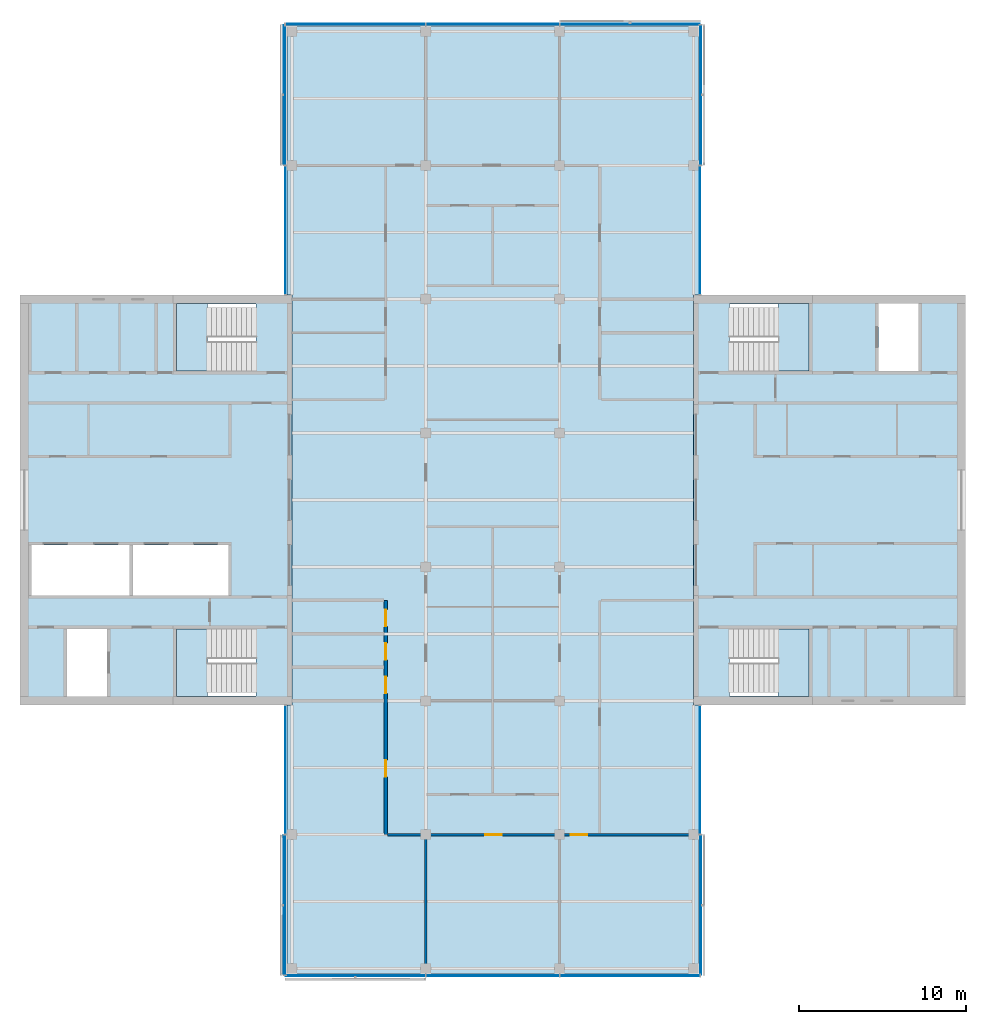
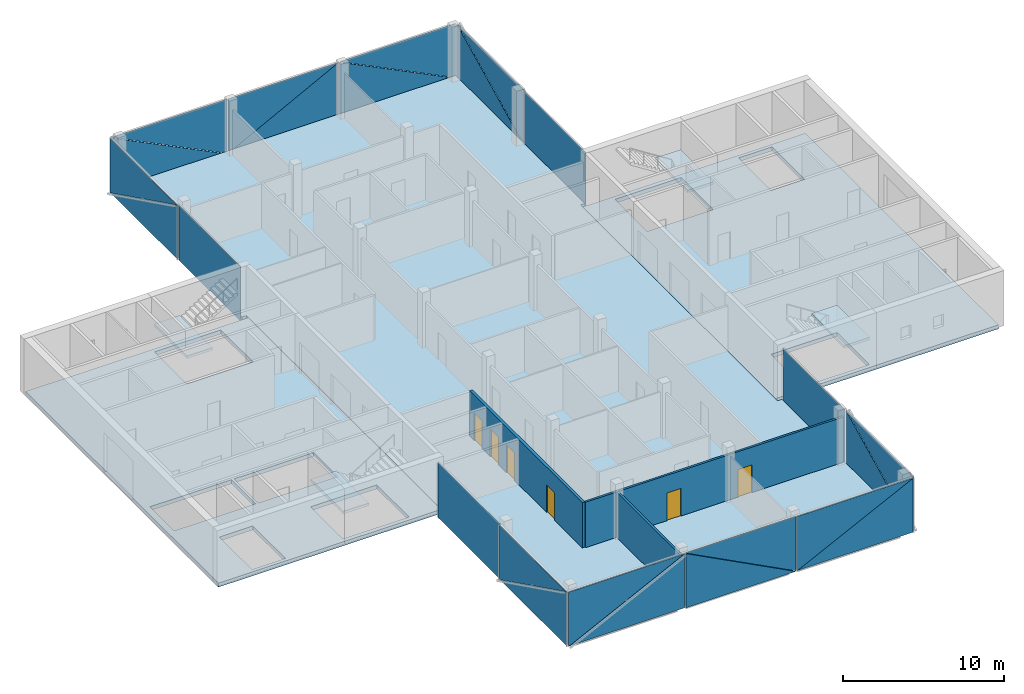
# One storey, part 8 of 16: 24 plates, 7 slabs, 6 doors, 3 walls, 6 openings, 14 elements without a shape of their own.
"""IFC4 building model written with IfcOpenShell, lengths in metres."""

from ifc_helpers import new_model, si_unit, direction, frame, frame_2d, origin, place, context, subcontext, project, spatial, polyline, rectangle, outline, extrude, material, layer, layer_set, type_object, element, fill, aggregate, save


model = new_model("IFC4")

# Units and contexts
model_context = context("Model", 3, precision=1e-05, world=origin(), true_north=direction((0.0, 1.0)))
body_context = subcontext(model_context, "Body", "Model", "MODEL_VIEW")
ifc_project = project(units=[si_unit("LENGTHUNIT", "METRE"), si_unit("AREAUNIT", "SQUARE_METRE"), si_unit("VOLUMEUNIT", "CUBIC_METRE"), si_unit("PLANEANGLEUNIT", "RADIAN"), si_unit("MASSUNIT", "GRAM", prefix="KILO")], contexts=[model_context])

# Site, building, storey
site_placement = place(None, origin())
site = spatial("IfcSite", under=ifc_project, at=site_placement, CompositionType="ELEMENT")
building_placement = place(site_placement, origin())
building = spatial("IfcBuilding", under=site, at=building_placement, Name="Crosswind Convention Tower", CompositionType="ELEMENT")
storey_placement = place(building_placement, frame((0.0, 0.0, 340.699951171875)))
storey = spatial("IfcBuildingStorey", under=building, at=storey_placement, Name="L74", CompositionType="ELEMENT", Elevation=340.699951171875)

# Slabs
ifc_material_1 = material(Name="Concrete C40/50", Category="concrete")
ifc_layer_1 = layer(ifc_material_1, 0.300048828125)
ifc_layer_set_1 = layer_set([ifc_layer_1], Name="Concrete C40/50")
slab_type_1 = type_object("IfcSlabType", Name="Composite floor slab 300", PredefinedType="FLOOR", material=ifc_layer_set_1)
slab_1_placement = place(storey_placement, frame((0.0, 0.0, -0.300048828125)))
element("IfcSlab", 1, at=slab_1_placement, inside=storey, type_object=slab_type_1, Name="Floor slab L74", PredefinedType="FLOOR", context=body_context, shape_type="SweptSolid", body=[
    extrude(outline(polyline([(137.300048828125, 71.699951171875), (137.0, 71.699951171875), (113.0, 71.699951171875), (112.699951171875, 71.699951171875), (112.699951171875, 72.0), (112.699951171875, 87.75), (113.0, 87.75), (113.0, 112.25), (112.699951171875, 112.25), (112.699951171875, 128.0), (112.699951171875, 128.300048828125), (113.0, 128.300048828125), (137.0, 128.300048828125), (137.300048828125, 128.300048828125), (137.300048828125, 128.0), (137.300048828125, 112.25), (137.0, 112.25), (137.0, 87.75), (137.300048828125, 87.75), (137.300048828125, 72.0), (137.300048828125, 71.699951171875)])), origin(), (0.0, 0.0, 1.0), 0.300048828125),
])
ifc_layer_2 = layer(ifc_material_1, 0.300048828125)
ifc_layer_set_2 = layer_set([ifc_layer_2], Name="Concrete C40/50")
slab_type_2 = type_object("IfcSlabType", Name="Concrete core floor slab 300", PredefinedType="FLOOR", material=ifc_layer_set_2)
slab_2_placement = place(storey_placement, frame((0.0, 0.0, -0.300048828125)))
element("IfcSlab", 2, at=slab_2_placement, inside=storey, type_object=slab_type_2, Name="Core floor slab E L74", PredefinedType="FLOOR", context=body_context, shape_type="SweptSolid", body=[
    extrude(outline(polyline([(137.0, 88.0), (153.0, 88.0), (153.0, 112.0), (137.0, 112.0), (137.0, 88.0)]), holes=[polyline([(150.449951171875, 107.699951171875), (150.449951171875, 111.75), (148.050048828125, 111.75), (148.050048828125, 107.699951171875), (150.449951171875, 107.699951171875)]), polyline([(143.89990234375, 107.699951171875), (143.89990234375, 111.699951171875), (139.14990234375, 111.699951171875), (139.14990234375, 107.699951171875), (143.89990234375, 107.699951171875)]), polyline([(143.89990234375, 88.300048828125), (143.89990234375, 92.300048828125), (139.14990234375, 92.300048828125), (139.14990234375, 88.300048828125), (143.89990234375, 88.300048828125)])]), origin(), (0.0, 0.0, 1.0), 0.300048828125),
])
slab_3_placement = place(storey_placement, frame((0.0, 0.0, -0.300048828125)))
element("IfcSlab", 3, at=slab_3_placement, inside=storey, type_object=slab_type_2, Name="Core floor slab W L74", PredefinedType="FLOOR", context=body_context, shape_type="SweptSolid", body=[
    extrude(outline(polyline([(97.0, 88.0), (113.0, 88.0), (113.0, 112.0), (97.0, 112.0), (97.0, 88.0)]), holes=[polyline([(109.199951171875, 94.300048828125), (109.199951171875, 97.300048828125), (103.5, 97.300048828125), (103.5, 94.300048828125), (109.199951171875, 94.300048828125)]), polyline([(103.300048828125, 94.300048828125), (103.300048828125, 97.300048828125), (97.449951171875, 97.300048828125), (97.449951171875, 94.300048828125), (103.300048828125, 94.300048828125)]), polyline([(101.949951171875, 88.25), (101.949951171875, 92.300048828125), (99.550048828125, 92.300048828125), (99.550048828125, 88.25), (101.949951171875, 88.25)]), polyline([(110.85009765625, 88.300048828125), (110.85009765625, 92.300048828125), (106.10009765625, 92.300048828125), (106.10009765625, 88.300048828125), (110.85009765625, 88.300048828125)]), polyline([(110.85009765625, 107.699951171875), (110.85009765625, 111.699951171875), (106.10009765625, 111.699951171875), (106.10009765625, 107.699951171875), (110.85009765625, 107.699951171875)])]), origin(), (0.0, 0.0, 1.0), 0.300048828125),
])

# Stair, slab
stair_type = type_object("IfcStairType", Name="Exit stair 1800 wide, 2 flights of 11 risers", PredefinedType="HALF_TURN_STAIR", material=ifc_material_1)
stair_1_placement = place(storey_placement, origin())
stair_1 = element("IfcStair", 4, at=stair_1_placement, inside=storey, type_object=stair_type, Name="Exit stair ST1 L74", ObjectType="ST5", PredefinedType="HALF_TURN_STAIR")
ifc_layer_3 = layer(ifc_material_1, 0.199951171875)
ifc_layer_set_3 = layer_set([ifc_layer_3], Name="Concrete C40/50")
slab_type_3 = type_object("IfcSlabType", Name="Stair landing 200", PredefinedType="LANDING", material=ifc_layer_set_3)
slab_4_placement = place(storey_placement, frame((0.0, 0.0, 1.900146484375)))
slab_4 = element("IfcSlab", 5, at=slab_4_placement, type_object=slab_type_3, Name="ST1 landing 1", PredefinedType="LANDING", context=body_context, shape_type="SweptSolid", body=[
    extrude(outline(polyline([(143.89990234375, 107.699951171875), (143.89990234375, 111.75), (142.050048828125, 111.75), (142.050048828125, 107.699951171875), (143.89990234375, 107.699951171875)])), origin(), (0.0, 0.0, 1.0), 0.199951171875),
])
aggregate(stair_1, [slab_4])

stair_2_placement = place(storey_placement, origin())
stair_2 = element("IfcStair", 6, at=stair_2_placement, inside=storey, type_object=stair_type, Name="Exit stair ST2 L74", ObjectType="ST5", PredefinedType="HALF_TURN_STAIR")
slab_5_placement = place(storey_placement, frame((0.0, 0.0, 1.900146484375)))
slab_5 = element("IfcSlab", 7, at=slab_5_placement, type_object=slab_type_3, Name="ST2 landing 1", PredefinedType="LANDING", context=body_context, shape_type="SweptSolid", body=[
    extrude(outline(polyline([(143.89990234375, 88.25), (143.89990234375, 92.300048828125), (142.050048828125, 92.300048828125), (142.050048828125, 88.25), (143.89990234375, 88.25)])), origin(), (0.0, 0.0, 1.0), 0.199951171875),
])
aggregate(stair_2, [slab_5])

stair_3_placement = place(storey_placement, origin())
stair_3 = element("IfcStair", 8, at=stair_3_placement, inside=storey, type_object=stair_type, Name="Exit stair ST3 L74", ObjectType="ST5", PredefinedType="HALF_TURN_STAIR")
slab_6_placement = place(storey_placement, frame((0.0, 0.0, 1.900146484375)))
slab_6 = element("IfcSlab", 9, at=slab_6_placement, type_object=slab_type_3, Name="ST3 landing 1", PredefinedType="LANDING", context=body_context, shape_type="SweptSolid", body=[
    extrude(outline(polyline([(107.949951171875, 88.25), (107.949951171875, 92.300048828125), (106.10009765625, 92.300048828125), (106.10009765625, 88.25), (107.949951171875, 88.25)])), origin(), (0.0, 0.0, 1.0), 0.199951171875),
])
aggregate(stair_3, [slab_6])

stair_4_placement = place(storey_placement, origin())
stair_4 = element("IfcStair", 10, at=stair_4_placement, inside=storey, type_object=stair_type, Name="Exit stair ST4 L74", ObjectType="ST5", PredefinedType="HALF_TURN_STAIR")
slab_7_placement = place(storey_placement, frame((0.0, 0.0, 1.900146484375)))
slab_7 = element("IfcSlab", 11, at=slab_7_placement, type_object=slab_type_3, Name="ST4 landing 1", PredefinedType="LANDING", context=body_context, shape_type="SweptSolid", body=[
    extrude(outline(polyline([(107.949951171875, 107.699951171875), (107.949951171875, 111.75), (106.10009765625, 111.75), (106.10009765625, 107.699951171875), (107.949951171875, 107.699951171875)])), origin(), (0.0, 0.0, 1.0), 0.199951171875),
])
aggregate(stair_4, [slab_7])

# Curtain wall, plate
ifc_material_2 = material(Name="Aluminium unitised curtain wall", Category="aluminium")
curtain_wall_type_1 = type_object("IfcCurtainWallType", Name="CORE END SLOT WALL 160", PredefinedType="USERDEFINED", material=ifc_material_2)
curtain_wall_1_placement = place(storey_placement, origin())
curtain_wall_1 = element("IfcCurtainWall", 12, at=curtain_wall_1_placement, inside=storey, type_object=curtain_wall_type_1, Name="CW6 L74 N-E.1-1 slot", ObjectType="UNITISED", PredefinedType="USERDEFINED")
ifc_material_3 = material(Name="Laminated insulating glass unit", Category="glass")
ifc_layer_4 = layer(ifc_material_3, 0.02587890625)
ifc_layer_set_4 = layer_set([ifc_layer_4], Name="TRIANGULAR GLASS PANEL 26")
plate_type_1 = type_object("IfcPlateType", Name="TRIANGULAR GLASS PANEL 26", PredefinedType="CURTAIN_PANEL", material=ifc_layer_set_4)
plate_1_placement = place(storey_placement, frame((137.40673828125, 112.300048828125, -0.300048828125), z_axis=(0.999999937709, 0.0, 0.000352961917), x_axis=(0.0, 1.0, 0.0)))
plate_1 = element("IfcPlate", 13, at=plate_1_placement, type_object=plate_type_1, Name="CW6 panel 1.1", PredefinedType="CURTAIN_PANEL", context=body_context, shape_type="SweptSolid", body=[
    extrude(outline(polyline([(0.0, 0.0), (7.64990234375, 0.0), (7.64990234375, 4.150146742892037), (0.0, 4.150146742892037), (0.0, 0.0)])), origin(), (0.0, 0.0, -1.0), 0.02587890625),
])
aggregate(curtain_wall_1, [plate_1])

curtain_wall_2_placement = place(storey_placement, origin())
curtain_wall_2 = element("IfcCurtainWall", 14, at=curtain_wall_2_placement, inside=storey, type_object=curtain_wall_type_1, Name="CW6 L74 N-W.1-2 slot", ObjectType="UNITISED", PredefinedType="USERDEFINED")
plate_2_placement = place(storey_placement, frame((112.59326171875, 119.949951171875, -0.300048828125), z_axis=(-0.999999937709, 0.0, 0.000352961917), x_axis=(0.0, -1.0, 0.0)))
plate_2 = element("IfcPlate", 15, at=plate_2_placement, type_object=plate_type_1, Name="CW6 panel 1.1", PredefinedType="CURTAIN_PANEL", context=body_context, shape_type="SweptSolid", body=[
    extrude(outline(polyline([(0.0, 0.0), (7.64990234375, 0.0), (7.64990234375, 4.150146742892037), (0.0, 4.150146742892037), (0.0, 0.0)])), origin(), (0.0, 0.0, -1.0), 0.02587890625),
])
aggregate(curtain_wall_2, [plate_2])

curtain_wall_3_placement = place(storey_placement, origin())
curtain_wall_3 = element("IfcCurtainWall", 16, at=curtain_wall_3_placement, inside=storey, type_object=curtain_wall_type_1, Name="CW6 L74 S-W.1-1 slot", ObjectType="UNITISED", PredefinedType="USERDEFINED")
plate_3_placement = place(storey_placement, frame((112.59326171875, 87.699951171875, -0.300048828125), z_axis=(-0.999999937709, 0.0, 0.000352961917), x_axis=(0.0, -1.0, 0.0)))
plate_3 = element("IfcPlate", 17, at=plate_3_placement, type_object=plate_type_1, Name="CW6 panel 1.1", PredefinedType="CURTAIN_PANEL", context=body_context, shape_type="SweptSolid", body=[
    extrude(outline(polyline([(0.0, 0.0), (7.64990234375, 0.0), (7.64990234375, 4.150146742892037), (0.0, 4.150146742892037), (0.0, 0.0)])), origin(), (0.0, 0.0, -1.0), 0.02587890625),
])
aggregate(curtain_wall_3, [plate_3])

curtain_wall_4_placement = place(storey_placement, origin())
curtain_wall_4 = element("IfcCurtainWall", 18, at=curtain_wall_4_placement, inside=storey, type_object=curtain_wall_type_1, Name="CW6 L74 S-E.1-2 slot", ObjectType="UNITISED", PredefinedType="USERDEFINED")
plate_4_placement = place(storey_placement, frame((137.40673828125, 80.050048828125, -0.300048828125), z_axis=(0.999999937709, 0.0, 0.000352961917), x_axis=(0.0, 1.0, 0.0)))
plate_4 = element("IfcPlate", 19, at=plate_4_placement, type_object=plate_type_1, Name="CW6 panel 1.1", PredefinedType="CURTAIN_PANEL", context=body_context, shape_type="SweptSolid", body=[
    extrude(outline(polyline([(0.0, 0.0), (7.64990234375, 0.0), (7.64990234375, 4.150146742892037), (0.0, 4.150146742892037), (0.0, 0.0)])), origin(), (0.0, 0.0, -1.0), 0.02587890625),
])
aggregate(curtain_wall_4, [plate_4])

# Curtain wall, plates
curtain_wall_type_2 = type_object("IfcCurtainWallType", Name="OFFICE UNITISED WALL 220", PredefinedType="USERDEFINED", material=ifc_material_2)
curtain_wall_5_placement = place(storey_placement, origin())
curtain_wall_5 = element("IfcCurtainWall", 20, at=curtain_wall_5_placement, inside=storey, type_object=curtain_wall_type_2, Name="CW3 L74 N-E 1", ObjectType="UNITISED", PredefinedType="USERDEFINED")
ifc_layer_5 = layer(ifc_material_3, 0.031982421875)
ifc_layer_set_5 = layer_set([ifc_layer_5], Name="TRIANGULAR GLASS PANEL 32")
plate_type_2 = type_object("IfcPlateType", Name="TRIANGULAR GLASS PANEL 32", PredefinedType="CURTAIN_PANEL", material=ifc_layer_set_5)
plate_5_placement = place(storey_placement, frame((137.44287109375, 128.375, -0.300048828125), z_axis=(0.999999913924, 0.0, 0.000414913129), x_axis=(-0.000414913129, 0.0, 0.999999913924)))
plate_5 = element("IfcPlate", 21, at=plate_5_placement, type_object=plate_type_2, Name="CW3 panel 1.1", PredefinedType="CURTAIN_PANEL", context=body_context, shape_type="SweptSolid", body=[
    extrude(outline(polyline([(0.0, 0.0), (4.118896838915043, 0.0), (0.0, 8.317382812500002), (0.0, 0.0)])), origin(), (0.0, 0.0, -1.0), 0.031982421875),
])
plate_6_placement = place(storey_placement, frame((137.47509765625, 120.034912109375, 3.830078125), z_axis=(0.999999913924, 0.0, 0.000414913129), x_axis=(0.000414913129, 0.0, -0.999999913924)))
plate_6 = element("IfcPlate", 22, at=plate_6_placement, type_object=plate_type_2, Name="CW3 panel 1.2", PredefinedType="CURTAIN_PANEL", context=body_context, shape_type="SweptSolid", body=[
    extrude(outline(polyline([(0.0, 0.0), (4.118896838915043, 0.0), (0.0, 8.317626953124998), (0.0, 0.0)])), origin(), (0.0, 0.0, -1.0), 0.031982421875),
])
aggregate(curtain_wall_5, [plate_5, plate_6])

curtain_wall_6_placement = place(storey_placement, origin())
curtain_wall_6 = element("IfcCurtainWall", 23, at=curtain_wall_6_placement, inside=storey, type_object=curtain_wall_type_2, Name="CW3 L74 N-TIP 1", ObjectType="UNITISED", PredefinedType="USERDEFINED")
plate_7_placement = place(storey_placement, frame((129.034912109375, 128.44287109375, -0.300048828125), z_axis=(0.0, 0.999999913924, 0.000414913129), x_axis=(0.0, -0.000414913129, 0.999999913924)))
plate_7 = element("IfcPlate", 24, at=plate_7_placement, type_object=plate_type_2, Name="CW3 panel 1.1", PredefinedType="CURTAIN_PANEL", context=body_context, shape_type="SweptSolid", body=[
    extrude(outline(polyline([(0.0, 0.0), (4.118896838915043, 0.0), (0.0, 8.317626953124998), (0.0, 0.0)])), origin(), (0.0, 0.0, -1.0), 0.031982421875),
])
plate_8_placement = place(storey_placement, frame((137.375, 128.47509765625, 3.830078125), z_axis=(0.0, 0.999999913924, 0.000414913129), x_axis=(0.0, 0.000414913129, -0.999999913924)))
plate_8 = element("IfcPlate", 25, at=plate_8_placement, type_object=plate_type_2, Name="CW3 panel 1.2", PredefinedType="CURTAIN_PANEL", context=body_context, shape_type="SweptSolid", body=[
    extrude(outline(polyline([(0.0, 0.0), (4.118896838915043, 0.0), (0.0, 8.317382812500002), (0.0, 0.0)])), origin(), (0.0, 0.0, -1.0), 0.031982421875),
])
plate_9_placement = place(storey_placement, frame((121.034912109375, 128.441162109375, 3.830078125), z_axis=(0.0, 0.999999913913, 0.000414937724), x_axis=(1.0, 0.0, 0.0)))
plate_9 = element("IfcPlate", 26, at=plate_9_placement, type_object=plate_type_2, Name="CW3 panel 2.1", PredefinedType="CURTAIN_PANEL", context=body_context, shape_type="SweptSolid", body=[
    extrude(outline(polyline([(0.0, 0.0), (7.908447265625, 0.0), (0.0, 4.118652698311059), (0.0, 0.0)])), origin(), (0.0, 0.0, -1.0), 0.031982421875),
])
plate_10_placement = place(storey_placement, frame((128.965087890625, 128.476806640625, -0.300048828125), z_axis=(0.0, 0.999999913924, 0.000414913129), x_axis=(-1.0, 0.0, 0.0)))
plate_10 = element("IfcPlate", 27, at=plate_10_placement, type_object=plate_type_2, Name="CW3 panel 2.2", PredefinedType="CURTAIN_PANEL", context=body_context, shape_type="SweptSolid", body=[
    extrude(outline(polyline([(0.0, 0.0), (7.908447265625, 0.0), (0.0, 4.118896838915043), (0.0, 0.0)])), origin(), (0.0, 0.0, -1.0), 0.031982421875),
])
plate_11_placement = place(storey_placement, frame((112.625, 128.44287109375, -0.300048828125), z_axis=(0.0, 0.999999913924, 0.000414913129), x_axis=(0.0, -0.000414913129, 0.999999913924)))
plate_11 = element("IfcPlate", 28, at=plate_11_placement, type_object=plate_type_2, Name="CW3 panel 3.1", PredefinedType="CURTAIN_PANEL", context=body_context, shape_type="SweptSolid", body=[
    extrude(outline(polyline([(0.0, 0.0), (4.118896838915043, 0.0), (0.0, 8.317382812500002), (0.0, 0.0)])), origin(), (0.0, 0.0, -1.0), 0.031982421875),
])
plate_12_placement = place(storey_placement, frame((120.965087890625, 128.47509765625, 3.830078125), z_axis=(0.0, 0.999999913924, 0.000414913129), x_axis=(0.0, 0.000414913129, -0.999999913924)))
plate_12 = element("IfcPlate", 29, at=plate_12_placement, type_object=plate_type_2, Name="CW3 panel 3.2", PredefinedType="CURTAIN_PANEL", context=body_context, shape_type="SweptSolid", body=[
    extrude(outline(polyline([(0.0, 0.0), (4.118896838915043, 0.0), (0.0, 8.317626953124998), (0.0, 0.0)])), origin(), (0.0, 0.0, -1.0), 0.031982421875),
])
aggregate(curtain_wall_6, [plate_7, plate_8, plate_9, plate_10, plate_11, plate_12])

curtain_wall_7_placement = place(storey_placement, origin())
curtain_wall_7 = element("IfcCurtainWall", 30, at=curtain_wall_7_placement, inside=storey, type_object=curtain_wall_type_2, Name="CW3 L74 N-W 1", ObjectType="UNITISED", PredefinedType="USERDEFINED")
plate_13_placement = place(storey_placement, frame((112.55712890625, 120.034912109375, -0.300048828125), z_axis=(-0.999999913924, 0.0, 0.000414913129), x_axis=(0.000414913129, 0.0, 0.999999913924)))
plate_13 = element("IfcPlate", 31, at=plate_13_placement, type_object=plate_type_2, Name="CW3 panel 1.1", PredefinedType="CURTAIN_PANEL", context=body_context, shape_type="SweptSolid", body=[
    extrude(outline(polyline([(0.0, 0.0), (4.118896838915043, 0.0), (0.0, 8.317626953124998), (0.0, 0.0)])), origin(), (0.0, 0.0, -1.0), 0.031982421875),
])
plate_14_placement = place(storey_placement, frame((112.52490234375, 128.375, 3.830078125), z_axis=(-0.999999913924, 0.0, 0.000414913129), x_axis=(-0.000414913129, 0.0, -0.999999913924)))
plate_14 = element("IfcPlate", 32, at=plate_14_placement, type_object=plate_type_2, Name="CW3 panel 1.2", PredefinedType="CURTAIN_PANEL", context=body_context, shape_type="SweptSolid", body=[
    extrude(outline(polyline([(0.0, 0.0), (4.118896838915043, 0.0), (0.0, 8.317382812500002), (0.0, 0.0)])), origin(), (0.0, 0.0, -1.0), 0.031982421875),
])
aggregate(curtain_wall_7, [plate_13, plate_14])

curtain_wall_8_placement = place(storey_placement, origin())
curtain_wall_8 = element("IfcCurtainWall", 33, at=curtain_wall_8_placement, inside=storey, type_object=curtain_wall_type_2, Name="CW3 L74 S-W 1", ObjectType="UNITISED", PredefinedType="USERDEFINED")
plate_15_placement = place(storey_placement, frame((112.55712890625, 71.625, -0.300048828125), z_axis=(-0.999999913924, 0.0, 0.000414913129), x_axis=(0.000414913129, 0.0, 0.999999913924)))
plate_15 = element("IfcPlate", 34, at=plate_15_placement, type_object=plate_type_2, Name="CW3 panel 1.1", PredefinedType="CURTAIN_PANEL", context=body_context, shape_type="SweptSolid", body=[
    extrude(outline(polyline([(0.0, 0.0), (4.118896838915043, 0.0), (0.0, 8.317382812500002), (0.0, 0.0)])), origin(), (0.0, 0.0, -1.0), 0.031982421875),
])
plate_16_placement = place(storey_placement, frame((112.52490234375, 79.965087890625, 3.830078125), z_axis=(-0.999999913924, 0.0, 0.000414913129), x_axis=(-0.000414913129, 0.0, -0.999999913924)))
plate_16 = element("IfcPlate", 35, at=plate_16_placement, type_object=plate_type_2, Name="CW3 panel 1.2", PredefinedType="CURTAIN_PANEL", context=body_context, shape_type="SweptSolid", body=[
    extrude(outline(polyline([(0.0, 0.0), (4.118896838915043, 0.0), (0.0, 8.317626953124998), (0.0, 0.0)])), origin(), (0.0, 0.0, -1.0), 0.031982421875),
])
aggregate(curtain_wall_8, [plate_15, plate_16])

curtain_wall_9_placement = place(storey_placement, origin())
curtain_wall_9 = element("IfcCurtainWall", 36, at=curtain_wall_9_placement, inside=storey, type_object=curtain_wall_type_2, Name="CW3 L74 S-TIP 1", ObjectType="UNITISED", PredefinedType="USERDEFINED")
plate_17_placement = place(storey_placement, frame((120.965087890625, 71.55712890625, -0.300048828125), z_axis=(0.0, -0.999999913924, 0.000414913129), x_axis=(0.0, 0.000414913129, 0.999999913924)))
plate_17 = element("IfcPlate", 37, at=plate_17_placement, type_object=plate_type_2, Name="CW3 panel 1.1", PredefinedType="CURTAIN_PANEL", context=body_context, shape_type="SweptSolid", body=[
    extrude(outline(polyline([(0.0, 0.0), (4.118896838915043, 0.0), (0.0, 8.317626953124998), (0.0, 0.0)])), origin(), (0.0, 0.0, -1.0), 0.031982421875),
])
plate_18_placement = place(storey_placement, frame((112.625, 71.52490234375, 3.830078125), z_axis=(0.0, -0.999999913924, 0.000414913129), x_axis=(0.0, -0.000414913129, -0.999999913924)))
plate_18 = element("IfcPlate", 38, at=plate_18_placement, type_object=plate_type_2, Name="CW3 panel 1.2", PredefinedType="CURTAIN_PANEL", context=body_context, shape_type="SweptSolid", body=[
    extrude(outline(polyline([(0.0, 0.0), (4.118896838915043, 0.0), (0.0, 8.317382812500002), (0.0, 0.0)])), origin(), (0.0, 0.0, -1.0), 0.031982421875),
])
plate_19_placement = place(storey_placement, frame((128.965087890625, 71.558837890625, 3.830078125), z_axis=(0.0, -0.999999913913, 0.000414937724), x_axis=(-1.0, 0.0, 0.0)))
plate_19 = element("IfcPlate", 39, at=plate_19_placement, type_object=plate_type_2, Name="CW3 panel 2.1", PredefinedType="CURTAIN_PANEL", context=body_context, shape_type="SweptSolid", body=[
    extrude(outline(polyline([(0.0, 0.0), (7.908447265625, 0.0), (0.0, 4.118652698311059), (0.0, 0.0)])), origin(), (0.0, 0.0, -1.0), 0.031982421875),
])
plate_20_placement = place(storey_placement, frame((121.034912109375, 71.523193359375, -0.300048828125), z_axis=(0.0, -0.999999913924, 0.000414913129), x_axis=(1.0, 0.0, 0.0)))
plate_20 = element("IfcPlate", 40, at=plate_20_placement, type_object=plate_type_2, Name="CW3 panel 2.2", PredefinedType="CURTAIN_PANEL", context=body_context, shape_type="SweptSolid", body=[
    extrude(outline(polyline([(0.0, 0.0), (7.908447265625, 0.0), (0.0, 4.118896838915043), (0.0, 0.0)])), origin(), (0.0, 0.0, -1.0), 0.031982421875),
])
plate_21_placement = place(storey_placement, frame((137.375, 71.55712890625, -0.300048828125), z_axis=(0.0, -0.999999913924, 0.000414913129), x_axis=(0.0, 0.000414913129, 0.999999913924)))
plate_21 = element("IfcPlate", 41, at=plate_21_placement, type_object=plate_type_2, Name="CW3 panel 3.1", PredefinedType="CURTAIN_PANEL", context=body_context, shape_type="SweptSolid", body=[
    extrude(outline(polyline([(0.0, 0.0), (4.118896838915043, 0.0), (0.0, 8.317382812500002), (0.0, 0.0)])), origin(), (0.0, 0.0, -1.0), 0.031982421875),
])
plate_22_placement = place(storey_placement, frame((129.034912109375, 71.52490234375, 3.830078125), z_axis=(0.0, -0.999999913924, 0.000414913129), x_axis=(0.0, -0.000414913129, -0.999999913924)))
plate_22 = element("IfcPlate", 42, at=plate_22_placement, type_object=plate_type_2, Name="CW3 panel 3.2", PredefinedType="CURTAIN_PANEL", context=body_context, shape_type="SweptSolid", body=[
    extrude(outline(polyline([(0.0, 0.0), (4.118896838915043, 0.0), (0.0, 8.317626953124998), (0.0, 0.0)])), origin(), (0.0, 0.0, -1.0), 0.031982421875),
])
aggregate(curtain_wall_9, [plate_17, plate_18, plate_19, plate_20, plate_21, plate_22])

curtain_wall_10_placement = place(storey_placement, origin())
curtain_wall_10 = element("IfcCurtainWall", 43, at=curtain_wall_10_placement, inside=storey, type_object=curtain_wall_type_2, Name="CW3 L74 S-E 1", ObjectType="UNITISED", PredefinedType="USERDEFINED")
plate_23_placement = place(storey_placement, frame((137.44287109375, 79.965087890625, -0.300048828125), z_axis=(0.999999913924, 0.0, 0.000414913129), x_axis=(-0.000414913129, 0.0, 0.999999913924)))
plate_23 = element("IfcPlate", 44, at=plate_23_placement, type_object=plate_type_2, Name="CW3 panel 1.1", PredefinedType="CURTAIN_PANEL", context=body_context, shape_type="SweptSolid", body=[
    extrude(outline(polyline([(0.0, 0.0), (4.118896838915043, 0.0), (0.0, 8.317626953124998), (0.0, 0.0)])), origin(), (0.0, 0.0, -1.0), 0.031982421875),
])
plate_24_placement = place(storey_placement, frame((137.47509765625, 71.625, 3.830078125), z_axis=(0.999999913924, 0.0, 0.000414913129), x_axis=(0.000414913129, 0.0, -0.999999913924)))
plate_24 = element("IfcPlate", 45, at=plate_24_placement, type_object=plate_type_2, Name="CW3 panel 1.2", PredefinedType="CURTAIN_PANEL", context=body_context, shape_type="SweptSolid", body=[
    extrude(outline(polyline([(0.0, 0.0), (4.118896838915043, 0.0), (0.0, 8.317382812500002), (0.0, 0.0)])), origin(), (0.0, 0.0, -1.0), 0.031982421875),
])
aggregate(curtain_wall_10, [plate_23, plate_24])

# Wall, openings, doors
ifc_material_4 = material(Name="Concrete blockwork", Category="masonry")
ifc_layer_6 = layer(ifc_material_4, 0.199951171875)
ifc_layer_set_6 = layer_set([ifc_layer_6], Name="COMPARTMENT WALL 200 BLOCKWORK")
wall_type_1 = type_object("IfcWallType", Name="COMPARTMENT WALL 200 BLOCKWORK", PredefinedType="SOLIDWALL", material=ifc_layer_set_6)
wall_1_placement = place(storey_placement, frame((118.60009765625, 80.0, 0.0), z_axis=(0.0, 0.0, 1.0), x_axis=(0.0, 1.0, 0.0)))
wall_1 = element("IfcWall", 46, at=wall_1_placement, inside=storey, type_object=wall_type_1, Name="Compartment wall WT42", PredefinedType="SOLIDWALL", context=body_context, shape_type="SweptSolid", body=[
    extrude(rectangle(XDim=14.0, YDim=0.199951171875, at=frame_2d((7.0, 0.0))), origin(), (0.0, 0.0, 1.0), 3.44287109375),
])
opening_1_placement = place(wall_1_placement, frame((12.449951171875, 0.0, 0.0)))
opening_1 = element("IfcOpeningElement", 47, at=opening_1_placement, cuts=wall_1, Name="Opening L74-57", PredefinedType="OPENING", context=body_context, shape_type="SweptSolid", body=[
    extrude(rectangle(XDim=1.0, YDim=2.10009765625, at=frame_2d((0.5, 1.050048828125))), frame((0.0, 0.10986328125, 0.0), z_axis=(0.0, -1.0, 0.0), x_axis=(1.0, 0.0, 0.0)), (0.0, 0.0, 1.0), 0.219970703125),
])
opening_2_placement = place(wall_1_placement, frame((10.449951171875, 0.0, 0.0)))
opening_2 = element("IfcOpeningElement", 48, at=opening_2_placement, cuts=wall_1, Name="Opening L74-58", PredefinedType="OPENING", context=body_context, shape_type="SweptSolid", body=[
    extrude(rectangle(XDim=1.0, YDim=2.10009765625, at=frame_2d((0.5, 1.050048828125))), frame((0.0, 0.10986328125, 0.0), z_axis=(0.0, -1.0, 0.0), x_axis=(1.0, 0.0, 0.0)), (0.0, 0.0, 1.0), 0.219970703125),
])
opening_3_placement = place(wall_1_placement, frame((8.449951171875, 0.0, 0.0)))
opening_3 = element("IfcOpeningElement", 49, at=opening_3_placement, cuts=wall_1, Name="Opening L74-59", PredefinedType="OPENING", context=body_context, shape_type="SweptSolid", body=[
    extrude(rectangle(XDim=1.0, YDim=2.10009765625, at=frame_2d((0.5, 1.050048828125))), frame((0.0, 0.10986328125, 0.0), z_axis=(0.0, -1.0, 0.0), x_axis=(1.0, 0.0, 0.0)), (0.0, 0.0, 1.0), 0.219970703125),
])
opening_4_placement = place(wall_1_placement, frame((3.449951171875, 0.0, 0.0)))
opening_4 = element("IfcOpeningElement", 50, at=opening_4_placement, cuts=wall_1, Name="Opening L74-60", PredefinedType="OPENING", context=body_context, shape_type="SweptSolid", body=[
    extrude(rectangle(XDim=1.0, YDim=2.10009765625, at=frame_2d((0.5, 1.050048828125))), frame((0.0, 0.10986328125, 0.0), z_axis=(0.0, -1.0, 0.0), x_axis=(1.0, 0.0, 0.0)), (0.0, 0.0, 1.0), 0.219970703125),
])
ifc_material_5 = material(Name="Steel fire door", Category="steel")
door_type_1 = type_object("IfcDoorType", Name="PLANT ROOM DOOR 1000X2100 FD60", OperationType="NOTDEFINED", PredefinedType="DOOR", material=ifc_material_5)
door_1_placement = place(opening_1_placement, origin())
door_1 = element("IfcDoor", 51, at=door_1_placement, inside=storey, type_object=door_type_1, Name="Door L74-57", ObjectType="D43", OperationType="SINGLE_SWING_LEFT", OverallHeight=2.10009765625, OverallWidth=1.0, PredefinedType="DOOR", context=body_context, shape_type="SweptSolid", body=[
    extrude(rectangle(XDim=1.0, YDim=2.10009765625, at=frame_2d((0.5, 1.050048828125))), frame((0.0, 0.02490234375, 0.0), z_axis=(0.0, -1.0, 0.0), x_axis=(1.0, 0.0, 0.0)), (0.0, 0.0, 1.0), 0.050048828125),
])
fill(opening_1, door_1)
door_2_placement = place(opening_2_placement, origin())
door_2 = element("IfcDoor", 52, at=door_2_placement, inside=storey, type_object=door_type_1, Name="Door L74-58", ObjectType="D43", OperationType="SINGLE_SWING_LEFT", OverallHeight=2.10009765625, OverallWidth=1.0, PredefinedType="DOOR", context=body_context, shape_type="SweptSolid", body=[
    extrude(rectangle(XDim=1.0, YDim=2.10009765625, at=frame_2d((0.5, 1.050048828125))), frame((0.0, 0.02490234375, 0.0), z_axis=(0.0, -1.0, 0.0), x_axis=(1.0, 0.0, 0.0)), (0.0, 0.0, 1.0), 0.050048828125),
])
fill(opening_2, door_2)
door_3_placement = place(opening_3_placement, origin())
door_3 = element("IfcDoor", 53, at=door_3_placement, inside=storey, type_object=door_type_1, Name="Door L74-59", ObjectType="D43", OperationType="SINGLE_SWING_LEFT", OverallHeight=2.10009765625, OverallWidth=1.0, PredefinedType="DOOR", context=body_context, shape_type="SweptSolid", body=[
    extrude(rectangle(XDim=1.0, YDim=2.10009765625, at=frame_2d((0.5, 1.050048828125))), frame((0.0, 0.02490234375, 0.0), z_axis=(0.0, -1.0, 0.0), x_axis=(1.0, 0.0, 0.0)), (0.0, 0.0, 1.0), 0.050048828125),
])
fill(opening_3, door_3)
ifc_material_6 = material(Name="Timber fire door", Category="wood")
door_type_2 = type_object("IfcDoorType", Name="TENANCY ENTRANCE DOOR 1000X2100 FD30S", OperationType="NOTDEFINED", PredefinedType="DOOR", material=ifc_material_6)
door_4_placement = place(opening_4_placement, origin())
door_4 = element("IfcDoor", 54, at=door_4_placement, inside=storey, type_object=door_type_2, Name="Door L74-60", ObjectType="D41", OperationType="SINGLE_SWING_RIGHT", OverallHeight=2.10009765625, OverallWidth=1.0, PredefinedType="DOOR", context=body_context, shape_type="SweptSolid", body=[
    extrude(rectangle(XDim=1.0, YDim=2.10009765625, at=frame_2d((0.5, 1.050048828125))), frame((0.0, 0.02490234375, 0.0), z_axis=(0.0, -1.0, 0.0), x_axis=(1.0, 0.0, 0.0)), (0.0, 0.0, 1.0), 0.050048828125),
])
fill(opening_4, door_4)

# Wall
ifc_material_7 = material(Name="Fire-board partition with mineral wool", Category="gypsum")
ifc_layer_7 = layer(ifc_material_7, 0.14990234375)
ifc_layer_set_7 = layer_set([ifc_layer_7], Name="TENANCY WALL 150 TWO-HOUR BOARD")
wall_type_2 = type_object("IfcWallType", Name="TENANCY WALL 150 TWO-HOUR BOARD", PredefinedType="PARTITIONING", material=ifc_layer_set_7)
wall_2_placement = place(storey_placement, frame((121.0, 71.780029296875, 0.0), z_axis=(0.0, 0.0, 1.0), x_axis=(0.0, 1.0, 0.0)))
element("IfcWall", 55, at=wall_2_placement, inside=storey, type_object=wall_type_2, Name="Tenancy wall WT41", PredefinedType="PARTITIONING", context=body_context, shape_type="SweptSolid", body=[
    extrude(rectangle(XDim=8.14501953125, YDim=0.14990234375, at=frame_2d((4.072509765625, 0.0))), origin(), (0.0, 0.0, 1.0), 3.44287109375),
])

# Wall, openings, doors
wall_3_placement = place(storey_placement, frame((118.699951171875, 80.0, 0.0), z_axis=(0.0, 0.0, 1.0), x_axis=(1.0, 0.0, 0.0)))
wall_3 = element("IfcWall", 56, at=wall_3_placement, inside=storey, type_object=wall_type_2, Name="Tenancy wall WT41", PredefinedType="PARTITIONING", context=body_context, shape_type="SweptSolid", body=[
    extrude(rectangle(XDim=18.52001953125, YDim=0.14990234375, at=frame_2d((9.260009765625, 0.0))), origin(), (0.0, 0.0, 1.0), 3.44287109375),
])
opening_5_placement = place(wall_3_placement, frame((5.85009765625, 0.0, 0.0)))
opening_5 = element("IfcOpeningElement", 57, at=opening_5_placement, cuts=wall_3, Name="Opening L74-63", PredefinedType="OPENING", context=body_context, shape_type="SweptSolid", body=[
    extrude(rectangle(XDim=1.0, YDim=2.10009765625, at=frame_2d((0.5, 1.050048828125))), frame((0.0, 0.0849609375, 0.0), z_axis=(0.0, -1.0, 0.0), x_axis=(1.0, 0.0, 0.0)), (0.0, 0.0, 1.0), 0.169921875),
])
opening_6_placement = place(wall_3_placement, frame((10.949951171875, 0.0, 0.0)))
opening_6 = element("IfcOpeningElement", 58, at=opening_6_placement, cuts=wall_3, Name="Opening L74-64", PredefinedType="OPENING", context=body_context, shape_type="SweptSolid", body=[
    extrude(rectangle(XDim=1.0, YDim=2.10009765625, at=frame_2d((0.5, 1.050048828125))), frame((0.0, 0.0849609375, 0.0), z_axis=(0.0, -1.0, 0.0), x_axis=(1.0, 0.0, 0.0)), (0.0, 0.0, 1.0), 0.169921875),
])
door_5_placement = place(opening_5_placement, frame((1.0, 0.0, 0.0), z_axis=(0.0, 0.0, 1.0), x_axis=(-1.0, 0.0, 0.0)))
door_5 = element("IfcDoor", 59, at=door_5_placement, inside=storey, type_object=door_type_2, Name="Door L74-63", ObjectType="D41", OperationType="SINGLE_SWING_LEFT", OverallHeight=2.10009765625, OverallWidth=1.0, PredefinedType="DOOR", context=body_context, shape_type="SweptSolid", body=[
    extrude(rectangle(XDim=1.0, YDim=2.10009765625, at=frame_2d((0.5, 1.050048828125))), frame((0.0, 0.02490234375, 0.0), z_axis=(0.0, -1.0, 0.0), x_axis=(1.0, 0.0, 0.0)), (0.0, 0.0, 1.0), 0.050048828125),
])
fill(opening_5, door_5)
door_6_placement = place(opening_6_placement, frame((1.0, 0.0, 0.0), z_axis=(0.0, 0.0, 1.0), x_axis=(-1.0, 0.0, 0.0)))
door_6 = element("IfcDoor", 60, at=door_6_placement, inside=storey, type_object=door_type_2, Name="Door L74-64", ObjectType="D41", OperationType="SINGLE_SWING_RIGHT", OverallHeight=2.10009765625, OverallWidth=1.0, PredefinedType="DOOR", context=body_context, shape_type="SweptSolid", body=[
    extrude(rectangle(XDim=1.0, YDim=2.10009765625, at=frame_2d((0.5, 1.050048828125))), frame((0.0, 0.02490234375, 0.0), z_axis=(0.0, -1.0, 0.0), x_axis=(1.0, 0.0, 0.0)), (0.0, 0.0, 1.0), 0.050048828125),
])
fill(opening_6, door_6)

save(model, "model.ifc")
